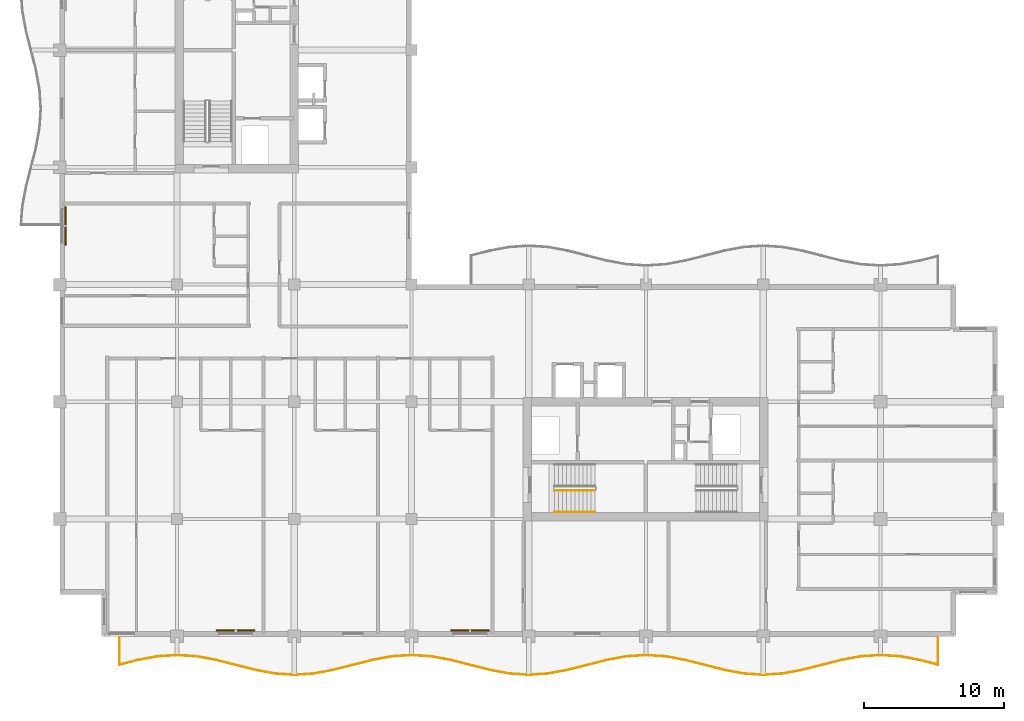
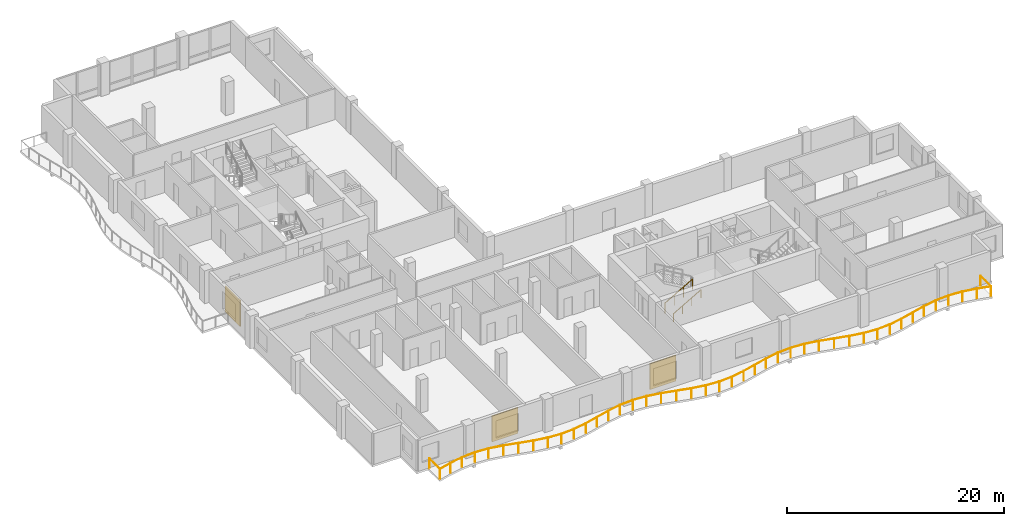
# One storey, part 13 of 16: 3 railings, 3 shading devices.
"""IFC4 building model written with IfcOpenShell, lengths in metres."""

from ifc_helpers import new_model, si_unit, direction, frame, origin, origin_2d, place, context, subcontext, project, spatial, rectangle, circle, extrude, material, layer, layer_set, type_object, element, save


model = new_model("IFC4")

# Units and contexts
model_context = context("Model", 3, precision=1e-05, world=origin(), true_north=direction((0.0, 1.0)))
body_context = subcontext(model_context, "Body", "Model", "MODEL_VIEW")
ifc_project = project(units=[si_unit("LENGTHUNIT", "METRE"), si_unit("AREAUNIT", "SQUARE_METRE"), si_unit("VOLUMEUNIT", "CUBIC_METRE"), si_unit("PLANEANGLEUNIT", "RADIAN"), si_unit("MASSUNIT", "GRAM", prefix="KILO")], contexts=[model_context])

# Site, building, storey
site_placement = place(None, origin())
site = spatial("IfcSite", under=ifc_project, at=site_placement, CompositionType="ELEMENT")
building_placement = place(site_placement, origin())
building = spatial("IfcBuilding", under=site, at=building_placement, Name="Koriwani Terraces Tower", CompositionType="ELEMENT")
storey_placement = place(building_placement, frame((0.0, 0.0, 252.699951171875)))
storey = spatial("IfcBuildingStorey", under=building, at=storey_placement, Name="L62", CompositionType="ELEMENT", Elevation=252.699951171875)

# Railings
ifc_material_1 = material(Name="Steel ASTM A572 Grade 50", Category="steel")
railing_type_1 = type_object("IfcRailingType", Name="GUARD_BALUSTRADE_1150", PredefinedType="BALUSTRADE", material=ifc_material_1)
railing_1_placement = place(storey_placement, frame((12.679931640625, 8.320068359375, 0.0)))
element("IfcRailing", 1, at=railing_1_placement, inside=storey, type_object=railing_type_1, Name="L62 Balcony Perimeter Safety Balustrade (S)", PredefinedType="BALUSTRADE", context=body_context, shape_type="SweptSolid", body=[
    extrude(circle(Radius=0.02392578125, at=origin_2d()), frame((0.0, 0.0, 1.1259765625), z_axis=(0.0, -1.0, 0.0), x_axis=(1.0, 0.0, 0.0)), (0.0, 0.0, 1.0), 1.957275390625),
    extrude(circle(Radius=0.02392578125, at=origin_2d()), frame((0.0, -1.957275390625, 1.1259765625), z_axis=(0.969335916043, 0.245739459323, 0.0), x_axis=(-0.245739459323, 0.969335916043, 0.0)), (0.0, 0.0, 1.0), 1.34423828125),
    extrude(circle(Radius=0.02392578125, at=origin_2d()), frame((1.302978515625, -1.626953125, 1.1259765625), z_axis=(0.983227655562, 0.182382502828, 0.0), x_axis=(-0.182382502828, 0.983227655562, 0.0)), (0.0, 0.0, 1.0), 1.430908203125),
    extrude(circle(Radius=0.02392578125, at=origin_2d()), frame((2.7099609375, -1.365966796875, 1.1259765625), z_axis=(0.997704957786, 0.067711278299, 0.0), x_axis=(-0.067711278299, 0.997704957786, 0.0)), (0.0, 0.0, 1.0), 1.413330078125),
    extrude(circle(Radius=0.02392578125, at=origin_2d()), frame((4.1201171875, -1.270263671875, 1.1259765625), z_axis=(0.997704165633, -0.067722949425, 0.0), x_axis=(0.067722949425, 0.997704165633, 0.0)), (0.0, 0.0, 1.0), 1.4130859375),
    extrude(circle(Radius=0.02392578125, at=origin_2d()), frame((5.530029296875, -1.365966796875, 1.1259765625), z_axis=(0.983233329212, -0.182351913416, 0.0), x_axis=(0.182351913416, 0.983233329212, 0.0)), (0.0, 0.0, 1.0), 1.43115234375),
    extrude(circle(Radius=0.02392578125, at=origin_2d()), frame((6.937255859375, -1.626953125, 1.1259765625), z_axis=(0.969326714928, -0.245775750895, 0.0), x_axis=(0.245775750895, 0.969326714928, 0.0)), (0.0, 0.0, 1.0), 2.888671875),
    extrude(circle(Radius=0.02392578125, at=origin_2d()), frame((9.7373046875, -2.3369140625, 1.1259765625), z_axis=(0.98320420208, -0.182508895706, 0.0), x_axis=(0.182508895706, 0.98320420208, 0.0)), (0.0, 0.0, 1.0), 1.41650390625),
    extrude(circle(Radius=0.02392578125, at=origin_2d()), frame((11.130126953125, -2.595458984375, 1.1259765625), z_axis=(0.997697457915, -0.067821696155, 0.0), x_axis=(0.067821696155, 0.997697457915, 0.0)), (0.0, 0.0, 1.0), 1.39306640625),
    extrude(circle(Radius=0.02392578125, at=origin_2d()), frame((12.52001953125, -2.68994140625, 1.1259765625), z_axis=(0.997698263815, 0.067809839848, 0.0), x_axis=(-0.067809839848, 0.997698263815, 0.0)), (0.0, 0.0, 1.0), 1.393310546875),
    extrude(circle(Radius=0.02392578125, at=origin_2d()), frame((13.91015625, -2.595458984375, 1.1259765625), z_axis=(0.98320420208, 0.182508895706, 0.0), x_axis=(-0.182508895706, 0.98320420208, 0.0)), (0.0, 0.0, 1.0), 1.41650390625),
    extrude(circle(Radius=0.02392578125, at=origin_2d()), frame((15.302978515625, -2.3369140625, 1.1259765625), z_axis=(0.969326714928, 0.245775750895, 0.0), x_axis=(-0.245775750895, 0.969326714928, 0.0)), (0.0, 0.0, 1.0), 2.888671875),
    extrude(circle(Radius=0.02392578125, at=origin_2d()), frame((18.10302734375, -1.626953125, 1.1259765625), z_axis=(0.983227655562, 0.182382502828, 0.0), x_axis=(-0.182382502828, 0.983227655562, 0.0)), (0.0, 0.0, 1.0), 1.430908203125),
    extrude(circle(Radius=0.02392578125, at=origin_2d()), frame((19.510009765625, -1.365966796875, 1.1259765625), z_axis=(0.997704957786, 0.067711278299, 0.0), x_axis=(-0.067711278299, 0.997704957786, 0.0)), (0.0, 0.0, 1.0), 1.413330078125),
    extrude(circle(Radius=0.02392578125, at=origin_2d()), frame((20.920166015625, -1.270263671875, 1.1259765625), z_axis=(0.997704165633, -0.067722949425, 0.0), x_axis=(0.067722949425, 0.997704165633, 0.0)), (0.0, 0.0, 1.0), 1.4130859375),
    extrude(circle(Radius=0.02392578125, at=origin_2d()), frame((22.330078125, -1.365966796875, 1.1259765625), z_axis=(0.983227655562, -0.182382502828, 0.0), x_axis=(0.182382502828, 0.983227655562, 0.0)), (0.0, 0.0, 1.0), 1.430908203125),
    extrude(circle(Radius=0.02392578125, at=origin_2d()), frame((23.737060546875, -1.626953125, 1.1259765625), z_axis=(0.969331819617, -0.245755617389, 0.0), x_axis=(0.245755617389, 0.969331819617, 0.0)), (0.0, 0.0, 1.0), 2.888916015625),
    extrude(circle(Radius=0.02392578125, at=origin_2d()), frame((26.537353515625, -2.3369140625, 1.1259765625), z_axis=(0.98320420208, -0.182508895706, 0.0), x_axis=(0.182508895706, 0.98320420208, 0.0)), (0.0, 0.0, 1.0), 1.41650390625),
    extrude(circle(Radius=0.02392578125, at=origin_2d()), frame((27.93017578125, -2.595458984375, 1.1259765625), z_axis=(0.997697457915, -0.067821696155, 0.0), x_axis=(0.067821696155, 0.997697457915, 0.0)), (0.0, 0.0, 1.0), 1.39306640625),
    extrude(circle(Radius=0.02392578125, at=origin_2d()), frame((29.320068359375, -2.68994140625, 1.1259765625), z_axis=(0.997697457915, 0.067821696155, 0.0), x_axis=(-0.067821696155, 0.997697457915, 0.0)), (0.0, 0.0, 1.0), 1.39306640625),
    extrude(circle(Radius=0.02392578125, at=origin_2d()), frame((30.7099609375, -2.595458984375, 1.1259765625), z_axis=(0.98320420208, 0.182508895706, 0.0), x_axis=(-0.182508895706, 0.98320420208, 0.0)), (0.0, 0.0, 1.0), 1.41650390625),
    extrude(circle(Radius=0.02392578125, at=origin_2d()), frame((32.102783203125, -2.3369140625, 1.1259765625), z_axis=(0.969331819617, 0.245755617389, 0.0), x_axis=(-0.245755617389, 0.969331819617, 0.0)), (0.0, 0.0, 1.0), 2.888916015625),
    extrude(circle(Radius=0.02392578125, at=origin_2d()), frame((34.903076171875, -1.626953125, 1.1259765625), z_axis=(0.983227655562, 0.182382502828, 0.0), x_axis=(-0.182382502828, 0.983227655562, 0.0)), (0.0, 0.0, 1.0), 1.430908203125),
    extrude(circle(Radius=0.02392578125, at=origin_2d()), frame((36.31005859375, -1.365966796875, 1.1259765625), z_axis=(0.997704165633, 0.067722949425, 0.0), x_axis=(-0.067722949425, 0.997704165633, 0.0)), (0.0, 0.0, 1.0), 1.4130859375),
    extrude(circle(Radius=0.02392578125, at=origin_2d()), frame((37.719970703125, -1.270263671875, 1.1259765625), z_axis=(0.997704957786, -0.067711278299, 0.0), x_axis=(0.067711278299, 0.997704957786, 0.0)), (0.0, 0.0, 1.0), 1.413330078125),
    extrude(circle(Radius=0.02392578125, at=origin_2d()), frame((39.130126953125, -1.365966796875, 1.1259765625), z_axis=(0.983227655562, -0.182382502828, 0.0), x_axis=(0.182382502828, 0.983227655562, 0.0)), (0.0, 0.0, 1.0), 1.430908203125),
    extrude(circle(Radius=0.02392578125, at=origin_2d()), frame((40.537109375, -1.626953125, 1.1259765625), z_axis=(0.969326714928, -0.245775750895, 0.0), x_axis=(0.245775750895, 0.969326714928, 0.0)), (0.0, 0.0, 1.0), 2.888671875),
    extrude(circle(Radius=0.02392578125, at=origin_2d()), frame((43.337158203125, -2.3369140625, 1.1259765625), z_axis=(0.98320420208, -0.182508895706, 0.0), x_axis=(0.182508895706, 0.98320420208, 0.0)), (0.0, 0.0, 1.0), 1.41650390625),
    extrude(circle(Radius=0.02392578125, at=origin_2d()), frame((44.72998046875, -2.595458984375, 1.1259765625), z_axis=(0.997698263815, -0.067809839848, 0.0), x_axis=(0.067809839848, 0.997698263815, 0.0)), (0.0, 0.0, 1.0), 1.393310546875),
    extrude(circle(Radius=0.02392578125, at=origin_2d()), frame((46.1201171875, -2.68994140625, 1.1259765625), z_axis=(0.997697457915, 0.067821696155, 0.0), x_axis=(-0.067821696155, 0.997697457915, 0.0)), (0.0, 0.0, 1.0), 1.39306640625),
    extrude(circle(Radius=0.02392578125, at=origin_2d()), frame((47.510009765625, -2.595458984375, 1.1259765625), z_axis=(0.98320420208, 0.182508895706, 0.0), x_axis=(-0.182508895706, 0.98320420208, 0.0)), (0.0, 0.0, 1.0), 1.41650390625),
    extrude(circle(Radius=0.02392578125, at=origin_2d()), frame((48.90283203125, -2.3369140625, 1.1259765625), z_axis=(0.969326714928, 0.245775750895, 0.0), x_axis=(-0.245775750895, 0.969326714928, 0.0)), (0.0, 0.0, 1.0), 2.888671875),
    extrude(circle(Radius=0.02392578125, at=origin_2d()), frame((51.702880859375, -1.626953125, 1.1259765625), z_axis=(0.983233329212, 0.182351913416, 0.0), x_axis=(-0.182351913416, 0.983233329212, 0.0)), (0.0, 0.0, 1.0), 1.43115234375),
    extrude(circle(Radius=0.02392578125, at=origin_2d()), frame((53.110107421875, -1.365966796875, 1.1259765625), z_axis=(0.997704165633, 0.067722949425, 0.0), x_axis=(-0.067722949425, 0.997704165633, 0.0)), (0.0, 0.0, 1.0), 1.4130859375),
    extrude(circle(Radius=0.02392578125, at=origin_2d()), frame((54.52001953125, -1.270263671875, 1.1259765625), z_axis=(0.997704957786, -0.067711278299, 0.0), x_axis=(0.067711278299, 0.997704957786, 0.0)), (0.0, 0.0, 1.0), 1.413330078125),
    extrude(circle(Radius=0.02392578125, at=origin_2d()), frame((55.93017578125, -1.365966796875, 1.1259765625), z_axis=(0.983227655562, -0.182382502828, 0.0), x_axis=(0.182382502828, 0.983227655562, 0.0)), (0.0, 0.0, 1.0), 1.430908203125),
    extrude(circle(Radius=0.02392578125, at=origin_2d()), frame((57.337158203125, -1.626953125, 1.1259765625), z_axis=(0.969335916043, -0.245739459323, 0.0), x_axis=(0.245739459323, 0.969335916043, 0.0)), (0.0, 0.0, 1.0), 1.34423828125),
    extrude(circle(Radius=0.02392578125, at=origin_2d()), frame((58.64013671875, -1.957275390625, 1.1259765625), z_axis=(0.0, 1.0, 0.0), x_axis=(-1.0, 0.0, 0.0)), (0.0, 0.0, 1.0), 1.957275390625),
    extrude(circle(Radius=0.02099609375, at=origin_2d()), origin(), (0.0, 0.0, 1.0), 1.101806640625),
    extrude(circle(Radius=0.02099609375, at=origin_2d()), frame((0.0, -1.957275390625, 0.0)), (0.0, 0.0, 1.0), 1.101806640625),
    extrude(circle(Radius=0.02099609375, at=origin_2d()), frame((1.302978515625, -1.626953125, 0.0)), (0.0, 0.0, 1.0), 1.101806640625),
    extrude(circle(Radius=0.02099609375, at=origin_2d()), frame((2.7099609375, -1.365966796875, 0.0)), (0.0, 0.0, 1.0), 1.101806640625),
    extrude(circle(Radius=0.02099609375, at=origin_2d()), frame((4.1201171875, -1.270263671875, 0.0)), (0.0, 0.0, 1.0), 1.101806640625),
    extrude(circle(Radius=0.02099609375, at=origin_2d()), frame((5.530029296875, -1.365966796875, 0.0)), (0.0, 0.0, 1.0), 1.101806640625),
    extrude(circle(Radius=0.02099609375, at=origin_2d()), frame((6.937255859375, -1.626953125, 0.0)), (0.0, 0.0, 1.0), 1.101806640625),
    extrude(circle(Radius=0.02099609375, at=origin_2d()), frame((8.33740234375, -1.98193359375, 0.0)), (0.0, 0.0, 1.0), 1.101806640625),
    extrude(circle(Radius=0.02099609375, at=origin_2d()), frame((9.7373046875, -2.3369140625, 0.0)), (0.0, 0.0, 1.0), 1.101806640625),
    extrude(circle(Radius=0.02099609375, at=origin_2d()), frame((11.130126953125, -2.595458984375, 0.0)), (0.0, 0.0, 1.0), 1.101806640625),
    extrude(circle(Radius=0.02099609375, at=origin_2d()), frame((12.52001953125, -2.68994140625, 0.0)), (0.0, 0.0, 1.0), 1.101806640625),
    extrude(circle(Radius=0.02099609375, at=origin_2d()), frame((13.91015625, -2.595458984375, 0.0)), (0.0, 0.0, 1.0), 1.101806640625),
    extrude(circle(Radius=0.02099609375, at=origin_2d()), frame((15.302978515625, -2.3369140625, 0.0)), (0.0, 0.0, 1.0), 1.101806640625),
    extrude(circle(Radius=0.02099609375, at=origin_2d()), frame((16.703125, -1.98193359375, 0.0)), (0.0, 0.0, 1.0), 1.101806640625),
    extrude(circle(Radius=0.02099609375, at=origin_2d()), frame((18.10302734375, -1.626953125, 0.0)), (0.0, 0.0, 1.0), 1.101806640625),
    extrude(circle(Radius=0.02099609375, at=origin_2d()), frame((19.510009765625, -1.365966796875, 0.0)), (0.0, 0.0, 1.0), 1.101806640625),
    extrude(circle(Radius=0.02099609375, at=origin_2d()), frame((20.920166015625, -1.270263671875, 0.0)), (0.0, 0.0, 1.0), 1.101806640625),
    extrude(circle(Radius=0.02099609375, at=origin_2d()), frame((22.330078125, -1.365966796875, 0.0)), (0.0, 0.0, 1.0), 1.101806640625),
    extrude(circle(Radius=0.02099609375, at=origin_2d()), frame((23.737060546875, -1.626953125, 0.0)), (0.0, 0.0, 1.0), 1.101806640625),
    extrude(circle(Radius=0.02099609375, at=origin_2d()), frame((25.13720703125, -1.98193359375, 0.0)), (0.0, 0.0, 1.0), 1.101806640625),
    extrude(circle(Radius=0.02099609375, at=origin_2d()), frame((26.537353515625, -2.3369140625, 0.0)), (0.0, 0.0, 1.0), 1.101806640625),
    extrude(circle(Radius=0.02099609375, at=origin_2d()), frame((27.93017578125, -2.595458984375, 0.0)), (0.0, 0.0, 1.0), 1.101806640625),
    extrude(circle(Radius=0.02099609375, at=origin_2d()), frame((29.320068359375, -2.68994140625, 0.0)), (0.0, 0.0, 1.0), 1.101806640625),
    extrude(circle(Radius=0.02099609375, at=origin_2d()), frame((30.7099609375, -2.595458984375, 0.0)), (0.0, 0.0, 1.0), 1.101806640625),
    extrude(circle(Radius=0.02099609375, at=origin_2d()), frame((32.102783203125, -2.3369140625, 0.0)), (0.0, 0.0, 1.0), 1.101806640625),
    extrude(circle(Radius=0.02099609375, at=origin_2d()), frame((33.5029296875, -1.98193359375, 0.0)), (0.0, 0.0, 1.0), 1.101806640625),
    extrude(circle(Radius=0.02099609375, at=origin_2d()), frame((34.903076171875, -1.626953125, 0.0)), (0.0, 0.0, 1.0), 1.101806640625),
    extrude(circle(Radius=0.02099609375, at=origin_2d()), frame((36.31005859375, -1.365966796875, 0.0)), (0.0, 0.0, 1.0), 1.101806640625),
    extrude(circle(Radius=0.02099609375, at=origin_2d()), frame((37.719970703125, -1.270263671875, 0.0)), (0.0, 0.0, 1.0), 1.101806640625),
    extrude(circle(Radius=0.02099609375, at=origin_2d()), frame((39.130126953125, -1.365966796875, 0.0)), (0.0, 0.0, 1.0), 1.101806640625),
    extrude(circle(Radius=0.02099609375, at=origin_2d()), frame((40.537109375, -1.626953125, 0.0)), (0.0, 0.0, 1.0), 1.101806640625),
    extrude(circle(Radius=0.02099609375, at=origin_2d()), frame((41.93701171875, -1.98193359375, 0.0)), (0.0, 0.0, 1.0), 1.101806640625),
    extrude(circle(Radius=0.02099609375, at=origin_2d()), frame((43.337158203125, -2.3369140625, 0.0)), (0.0, 0.0, 1.0), 1.101806640625),
    extrude(circle(Radius=0.02099609375, at=origin_2d()), frame((44.72998046875, -2.595458984375, 0.0)), (0.0, 0.0, 1.0), 1.101806640625),
    extrude(circle(Radius=0.02099609375, at=origin_2d()), frame((46.1201171875, -2.68994140625, 0.0)), (0.0, 0.0, 1.0), 1.101806640625),
    extrude(circle(Radius=0.02099609375, at=origin_2d()), frame((47.510009765625, -2.595458984375, 0.0)), (0.0, 0.0, 1.0), 1.101806640625),
    extrude(circle(Radius=0.02099609375, at=origin_2d()), frame((48.90283203125, -2.3369140625, 0.0)), (0.0, 0.0, 1.0), 1.101806640625),
    extrude(circle(Radius=0.02099609375, at=origin_2d()), frame((50.302734375, -1.98193359375, 0.0)), (0.0, 0.0, 1.0), 1.101806640625),
    extrude(circle(Radius=0.02099609375, at=origin_2d()), frame((51.702880859375, -1.626953125, 0.0)), (0.0, 0.0, 1.0), 1.101806640625),
    extrude(circle(Radius=0.02099609375, at=origin_2d()), frame((53.110107421875, -1.365966796875, 0.0)), (0.0, 0.0, 1.0), 1.101806640625),
    extrude(circle(Radius=0.02099609375, at=origin_2d()), frame((54.52001953125, -1.270263671875, 0.0)), (0.0, 0.0, 1.0), 1.101806640625),
    extrude(circle(Radius=0.02099609375, at=origin_2d()), frame((55.93017578125, -1.365966796875, 0.0)), (0.0, 0.0, 1.0), 1.101806640625),
    extrude(circle(Radius=0.02099609375, at=origin_2d()), frame((57.337158203125, -1.626953125, 0.0)), (0.0, 0.0, 1.0), 1.101806640625),
    extrude(circle(Radius=0.02099609375, at=origin_2d()), frame((58.64013671875, -1.957275390625, 0.0)), (0.0, 0.0, 1.0), 1.101806640625),
    extrude(circle(Radius=0.02099609375, at=origin_2d()), frame((58.64013671875, 0.0, 0.0)), (0.0, 0.0, 1.0), 1.101806640625),
])
railing_type_2 = type_object("IfcRailingType", Name="GUARD_STAIR_WELL_1120", PredefinedType="GUARDRAIL", material=ifc_material_1)
railing_2_placement = place(storey_placement, frame((43.85009765625, 18.85009765625, 0.168212890625)))
element("IfcRailing", 2, at=railing_2_placement, inside=storey, type_object=railing_type_2, Name="L62 ST-E1 stair guard 1", PredefinedType="GUARDRAIL", context=body_context, shape_type="SweptSolid", body=[
    extrude(circle(Radius=0.02392578125, at=origin_2d()), frame((0.0, 0.0, 1.1259765625), z_axis=(0.865038774852, 0.0, 0.501705010941), x_axis=(0.0, 1.0, 0.0)), (0.0, 0.0, 1.0), 3.352294921875),
    extrude(circle(Radius=0.02099609375, at=origin_2d()), origin(), (0.0, 0.0, 1.0), 1.101806640625),
    extrude(circle(Radius=0.02099609375, at=origin_2d()), frame((0.966552734375, 0.0, 0.560546875)), (0.0, 0.0, 1.0), 1.101806640625),
    extrude(circle(Radius=0.02099609375, at=origin_2d()), frame((1.933349609375, 0.0, 1.121337890625)), (0.0, 0.0, 1.0), 1.101806640625),
    extrude(circle(Radius=0.02099609375, at=origin_2d()), frame((2.89990234375, 0.0, 1.681884765625)), (0.0, 0.0, 1.0), 1.101806640625),
])
railing_type_3 = type_object("IfcRailingType", Name="HANDRAIL_STAIR_920", PredefinedType="HANDRAIL", material=ifc_material_1)
railing_3_placement = place(storey_placement, frame((43.85009765625, 17.300048828125, 0.168212890625)))
element("IfcRailing", 3, at=railing_3_placement, inside=storey, type_object=railing_type_3, Name="L62 ST-E1 stair handrail 1", PredefinedType="HANDRAIL", context=body_context, shape_type="SweptSolid", body=[
    extrude(circle(Radius=0.02392578125, at=origin_2d()), frame((0.0, 0.0, 0.8759765625), z_axis=(0.865038774852, 0.0, 0.501705010941), x_axis=(0.0, 1.0, 0.0)), (0.0, 0.0, 1.0), 3.352294921875),
    extrude(circle(Radius=0.02099609375, at=origin_2d()), origin(), (0.0, 0.0, 1.0), 0.851806640625),
    extrude(circle(Radius=0.02099609375, at=origin_2d()), frame((0.966552734375, 0.0, 0.560546875)), (0.0, 0.0, 1.0), 0.851806640625),
    extrude(circle(Radius=0.02099609375, at=origin_2d()), frame((1.933349609375, 0.0, 1.121337890625)), (0.0, 0.0, 1.0), 0.851806640625),
    extrude(circle(Radius=0.02099609375, at=origin_2d()), frame((2.89990234375, 0.0, 1.681884765625)), (0.0, 0.0, 1.0), 0.851806640625),
])

# Shading devices
ifc_material_2 = material(Name="Extruded Terracotta Clay", Category="masonry")
ifc_layer = layer(ifc_material_2, 0.1201171875, Name="Extruded Terracotta Clay")
ifc_layer_set = layer_set([ifc_layer], Name="Extruded Terracotta Clay")
shading_device_type = type_object("IfcShadingDeviceType", Name="TERRACOTTA_BAGUETTE_SCREEN_2800", PredefinedType="USERDEFINED", material=ifc_layer_set)
for number, where, z_axis, x_axis, name in (
    (4, (8.804931640625, 37.800048828125, 0.28515625), (0.0, 0.0, 1.0), (0.0, 1.0, 0.0), "L62 Extruded Terracotta Baguette Screen (W-9)"),
    (5, (21.0, 8.804931640625, 0.28515625), (0.0, 0.0, 1.0), (-1.0, 0.0, 0.0), "L62 Extruded Terracotta Baguette Screen (S-3)"),
    (6, (37.800048828125, 8.804931640625, 0.28515625), (0.0, 0.0, 1.0), (-1.0, 0.0, 0.0), "L62 Extruded Terracotta Baguette Screen (S-9)"),
):
    element("IfcShadingDevice", number, at=place(storey_placement, frame(where, z_axis=z_axis, x_axis=x_axis)), inside=storey, type_object=shading_device_type, Name=name, ObjectType="BAGUETTE", PredefinedType="USERDEFINED", context=body_context, shape_type="SweptSolid", body=[
        extrude(rectangle(XDim=2.760009765625, YDim=0.1201171875, at=origin_2d()), origin(), (0.0, 0.0, 1.0), 2.89990234375),
    ])

save(model, "model.ifc")
